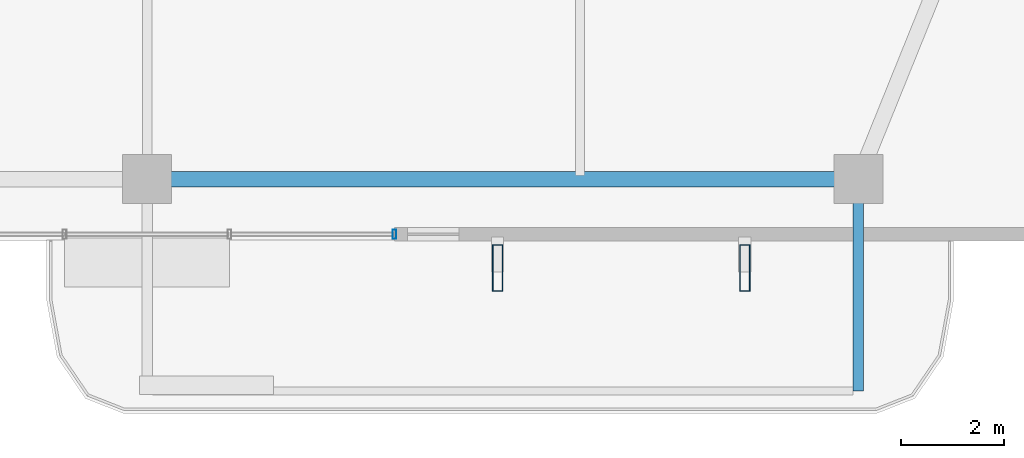
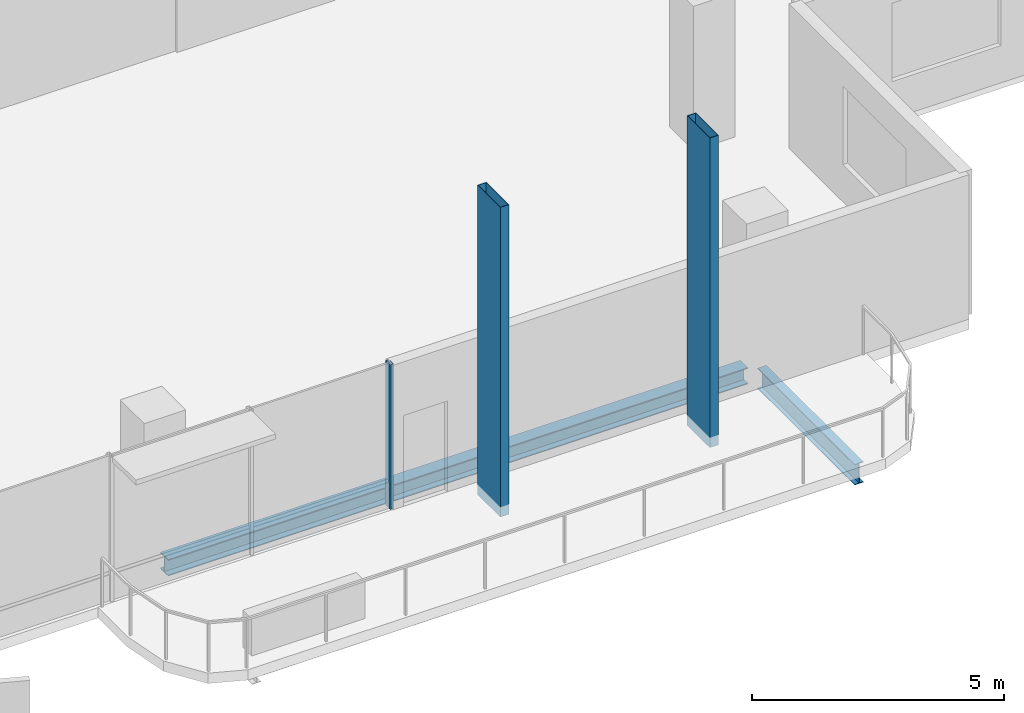
# One storey, part 8 of 25: 3 members, 2 beams, 1 element without a shape of its own.
"""IFC4 building model written with IfcOpenShell, lengths in metres."""

from ifc_helpers import new_model, si_unit, direction, frame, origin, origin_2d, place, context, subcontext, project, spatial, hollow_rectangle, i_section, extrude, material, layer, layer_set, material_profile, profile_set, type_object, element, aggregate, save


model = new_model("IFC4")

# Units and contexts
model_context = context("Model", 3, precision=1e-05, world=origin(), true_north=direction((0.0, 1.0)))
body_context = subcontext(model_context, "Body", "Model", "MODEL_VIEW")
ifc_project = project(units=[si_unit("LENGTHUNIT", "METRE"), si_unit("AREAUNIT", "SQUARE_METRE"), si_unit("VOLUMEUNIT", "CUBIC_METRE"), si_unit("PLANEANGLEUNIT", "RADIAN"), si_unit("MASSUNIT", "GRAM", prefix="KILO")], contexts=[model_context])

# Site, building, storey
site_placement = place(None, origin())
site = spatial("IfcSite", under=ifc_project, at=site_placement, CompositionType="ELEMENT")
building_placement = place(site_placement, origin())
building = spatial("IfcBuilding", under=site, at=building_placement, Name="Belovzor Exchange Tower", CompositionType="ELEMENT")
storey_placement = place(building_placement, frame((0.0, 0.0, 257.85009765625)))
storey = spatial("IfcBuildingStorey", under=building, at=storey_placement, Name="L64", CompositionType="ELEMENT", Elevation=257.85009765625)

# Beam
ifc_material_1 = material(Name="Steel S355", Category="steel")
ifc_material_profile_1 = material_profile(ifc_material_1, i_section(OverallWidth=0.199951171875, OverallDepth=0.5, WebThickness=0.01025390625, FlangeThickness=0.01611328125, at=origin_2d()))
ifc_profile_set_1 = profile_set([ifc_material_profile_1], Name="Steel S355")
beam_type_1 = type_object("IfcBeamType", Name="Planted Balcony Cantilever Beam IPE 500", PredefinedType="BEAM", material=ifc_profile_set_1)
beam_1_placement = place(storey_placement, frame((42.60009765625, 4.839111328125, -0.5), z_axis=(0.0, -1.0, 0.0), x_axis=(1.0, 0.0, 0.0)))
element("IfcBeam", 1, at=beam_1_placement, inside=storey, type_object=beam_type_1, Name="BC-500 Planted Balcony Cantilever Beam IPE 500", PredefinedType="BEAM", context=body_context, shape_type="SweptSolid", body=[
    extrude(i_section(OverallWidth=0.199951171875, OverallDepth=0.5, WebThickness=0.01025390625, FlangeThickness=0.01611328125, at=origin_2d()), origin(), (0.0, 0.0, 1.0), 3.85009765625),
])

# Members
ifc_material_2 = material(Name="Extruded Architectural Terracotta on Steel S355 Carrier", Category="masonry")
ifc_material_profile_2 = material_profile(ifc_material_2, hollow_rectangle(XDim=0.199951171875, YDim=0.89990234375, WallThickness=0.011962890625, at=origin_2d()))
ifc_profile_set_2 = profile_set([ifc_material_profile_2], Name="Extruded Architectural Terracotta on Steel S355 Carrier")
member_type_1 = type_object("IfcMemberType", Name="Sweeping Terracotta Baguette Fin Assembly 950", PredefinedType="USERDEFINED", material=ifc_profile_set_2)
for number, where, z_axis, x_axis, name in (
    (2, (35.60009765625, 3.375, -0.25), (0.0, 0.0, 1.0), (1.0, 0.0, 0.0), "FIN-TC095 Terracotta Facade Fin L64 S3"),
    (3, (40.39990234375, 3.375, -0.25), (0.0, 0.0, 1.0), (1.0, 0.0, 0.0), "FIN-TC095 Terracotta Facade Fin L64 S4"),
):
    element("IfcMember", number, at=place(storey_placement, frame(where, z_axis=z_axis, x_axis=x_axis)), inside=storey, type_object=member_type_1, Name=name, ObjectType="FIN", PredefinedType="USERDEFINED", context=body_context, shape_type="SweptSolid", body=[
        extrude(hollow_rectangle(XDim=0.199951171875, YDim=0.89990234375, WallThickness=0.011962890625, at=origin_2d()), origin(), (0.0, 0.0, 1.0), 7.5),
    ])

# Curtain wall, member
ifc_material_3 = material(Name="Anodised Aluminium Framing", Category="aluminium")
ifc_layer = layer(ifc_material_3, 0.179931640625)
ifc_layer_set = layer_set([ifc_layer], Name="Anodised Aluminium Framing")
curtain_wall_type = type_object("IfcCurtainWallType", Name="Recessed Loggia Low-Iron Triple-Glazed Curtain Wall", PredefinedType="NOTDEFINED", material=ifc_layer_set)
curtain_wall_placement = place(storey_placement, origin())
curtain_wall = element("IfcCurtainWall", 4, at=curtain_wall_placement, inside=storey, type_object=curtain_wall_type, Name="CW3 Recessed Loggia Low-Iron Triple-Glazed Curtain Wall L64", PredefinedType="NOTDEFINED")
ifc_material_4 = material(Name="Steel S355", Category="steel")
ifc_material_profile_3 = material_profile(ifc_material_4, hollow_rectangle(XDim=0.074951171875, YDim=0.179931640625, WallThickness=0.0048828125, at=origin_2d()))
ifc_profile_set_3 = profile_set([ifc_material_profile_3], Name="Steel S355")
member_type_2 = type_object("IfcMemberType", Name="Thermally Broken Curtain Wall Mullion 180x75", PredefinedType="MULLION", material=ifc_profile_set_3)
member_placement = place(storey_placement, frame((33.60009765625, 4.030029296875, 0.0), z_axis=(0.0, 0.0, 1.0), x_axis=(-1.0, 0.0, 0.0)))
member = element("IfcMember", 5, at=member_placement, type_object=member_type_2, Name="CW-M180 Curtain Wall Mullion 1", PredefinedType="MULLION", context=body_context, shape_type="SweptSolid", body=[
    extrude(hollow_rectangle(XDim=0.074951171875, YDim=0.179931640625, WallThickness=0.0048828125, at=origin_2d()), origin(), (0.0, 0.0, 1.0), 3.5),
])
aggregate(curtain_wall, [member])

# Beam
ifc_material_5 = material(Name="Steel S355", Category="steel")
ifc_material_profile_4 = material_profile(ifc_material_5, i_section(OverallWidth=0.300048828125, OverallDepth=0.39990234375, WebThickness=0.013427734375, FlangeThickness=0.02392578125, at=origin_2d()))
ifc_profile_set_4 = profile_set([ifc_material_profile_4], Name="Steel S355")
beam_type_2 = type_object("IfcBeamType", Name="Zone 5 Primary Girder HEB 400", PredefinedType="BEAM", material=ifc_profile_set_4)
beam_2_placement = place(storey_placement, frame((29.06103515625, 5.10009765625, -0.4501953125), z_axis=(1.0, 0.0, 0.0), x_axis=(0.0, 1.0, 0.0)))
element("IfcBeam", 6, at=beam_2_placement, inside=storey, type_object=beam_type_2, Name="FG-Z5 Zone 5 Primary Girder HEB 400", PredefinedType="BEAM", context=body_context, shape_type="SweptSolid", body=[
    extrude(i_section(OverallWidth=0.300048828125, OverallDepth=0.39990234375, WebThickness=0.013427734375, FlangeThickness=0.02392578125, at=origin_2d()), origin(), (0.0, 0.0, 1.0), 13.278076171875),
])

save(model, "model.ifc")
